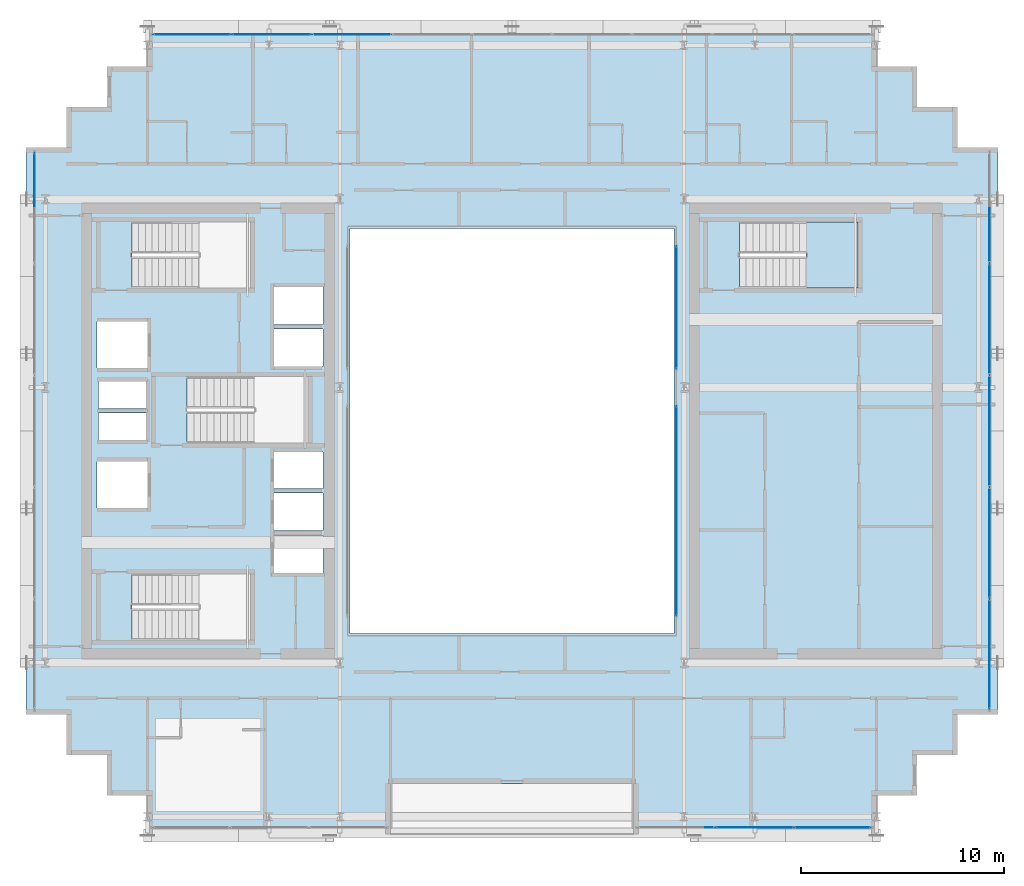
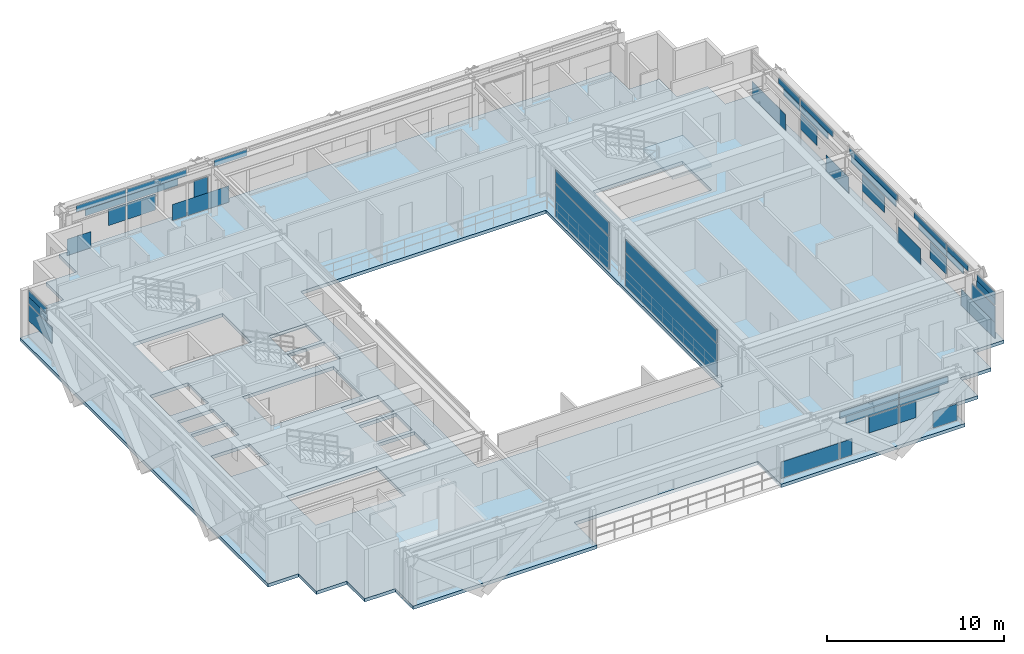
# One storey, part 25 of 37: 47 plates, 2 slabs, 7 elements without a shape of their own.
"""IFC4 building model written with IfcOpenShell, lengths in metres."""

from ifc_helpers import new_model, si_unit, direction, frame, origin, origin_2d, place, context, subcontext, project, spatial, polyline, rectangle, outline, extrude, source, transform, mapped, material, layer, layer_set, type_object, element, aggregate, save


model = new_model("IFC4")

# Units and contexts
model_context = context("Model", 3, precision=1e-05, world=origin(), true_north=direction((0.0, 1.0)))
body_context = subcontext(model_context, "Body", "Model", "MODEL_VIEW")
ifc_project = project(units=[si_unit("LENGTHUNIT", "METRE"), si_unit("AREAUNIT", "SQUARE_METRE"), si_unit("VOLUMEUNIT", "CUBIC_METRE"), si_unit("PLANEANGLEUNIT", "RADIAN"), si_unit("MASSUNIT", "GRAM", prefix="KILO")], contexts=[model_context])

# Site, building, storey
site_placement = place(None, origin())
site = spatial("IfcSite", under=ifc_project, at=site_placement, CompositionType="ELEMENT")
building_placement = place(site_placement, origin())
building = spatial("IfcBuilding", under=site, at=building_placement, Name="Ocotamira Hotel", CompositionType="ELEMENT")
storey_placement = place(building_placement, frame((0.0, 0.0, 192.0)))
storey = spatial("IfcBuildingStorey", under=building, at=storey_placement, Name="L48", CompositionType="ELEMENT", Elevation=192.0)

# Stair, slab
ifc_material_1 = material(Name="Concrete C40/50", Category="concrete")
stair_type = type_object("IfcStairType", Name="ST-CORE-1560", PredefinedType="HALF_TURN_STAIR", material=ifc_material_1)
stair_placement = place(storey_placement, origin())
stair = element("IfcStair", 1, at=stair_placement, inside=storey, type_object=stair_type, Name="L48 Exit Stair ST-4", PredefinedType="HALF_TURN_STAIR")
ifc_layer_1 = layer(ifc_material_1, 0.199951171875)
ifc_layer_set_1 = layer_set([ifc_layer_1], Name="Concrete C40/50")
slab_type_1 = type_object("IfcSlabType", Name="SLB-LAND-200", PredefinedType="LANDING", material=ifc_layer_set_1)
slab_1_placement = place(storey_placement, frame((0.0, 0.0, 1.60009765625)))
slab_1 = element("IfcSlab", 2, at=slab_1_placement, type_object=slab_type_1, Name="ST-4 landing 1", PredefinedType="LANDING", context=body_context, shape_type="SweptSolid", body=[
    extrude(outline(polyline([(46.530029296875, 33.050048828125), (49.090087890625, 33.050048828125), (49.090087890625, 36.330078125), (46.530029296875, 36.330078125), (46.530029296875, 33.050048828125)])), origin(), (0.0, 0.0, 1.0), 0.199951171875),
])
aggregate(stair, [slab_1])

# Slab
ifc_layer_2 = layer(ifc_material_1, 0.22998046875)
ifc_layer_set_2 = layer_set([ifc_layer_2], Name="Concrete C40/50")
slab_type_2 = type_object("IfcSlabType", Name="SLB-Z3-230", PredefinedType="FLOOR", material=ifc_layer_set_2)
slab_2_placement = place(storey_placement, frame((0.0, 0.0, -0.22998046875)))
element("IfcSlab", 3, at=slab_2_placement, inside=storey, type_object=slab_type_2, Name="L48 Structural Floor Slab", PredefinedType="FLOOR", context=body_context, shape_type="SweptSolid", body=[
    extrude(outline(polyline([(14.0, 6.0), (14.0, 8.0), (12.0, 8.0), (12.0, 10.0), (10.0, 10.0), (10.0, 12.0), (8.0, 12.0), (8.0, 40.0), (10.0, 40.0), (10.0, 42.0), (12.0, 42.0), (12.0, 44.0), (14.0, 44.0), (14.0, 46.0), (50.0, 46.0), (50.0, 44.0), (52.0, 44.0), (52.0, 42.0), (54.0, 42.0), (54.0, 40.0), (56.0, 40.0), (56.0, 12.0), (54.0, 12.0), (54.0, 10.0), (52.0, 10.0), (52.0, 8.0), (50.0, 8.0), (50.0, 6.0), (38.0, 6.0), (38.0, 8.60009765625), (26.0, 8.60009765625), (26.0, 6.0), (14.0, 6.0)]), holes=[polyline([(24.0, 16.0), (40.0, 16.0), (40.0, 36.0), (24.0, 36.0), (24.0, 16.0)]), polyline([(13.22998046875, 15.669921875), (19.090087890625, 15.669921875), (19.090087890625, 18.949951171875), (13.22998046875, 18.949951171875), (13.22998046875, 15.669921875)]), polyline([(13.22998046875, 33.050048828125), (19.090087890625, 33.050048828125), (19.090087890625, 36.330078125), (13.22998046875, 36.330078125), (13.22998046875, 33.050048828125)]), polyline([(15.9599609375, 25.39990234375), (21.919921875, 25.39990234375), (21.919921875, 28.679931640625), (15.9599609375, 28.679931640625), (15.9599609375, 25.39990234375)]), polyline([(43.22998046875, 33.050048828125), (49.090087890625, 33.050048828125), (49.090087890625, 36.330078125), (43.22998046875, 36.330078125), (43.22998046875, 33.050048828125)]), polyline([(20.25, 19.0), (22.659912109375, 19.0), (22.659912109375, 20.85009765625), (20.25, 20.85009765625), (20.25, 19.0)]), polyline([(20.25, 21.080078125), (22.659912109375, 21.080078125), (22.659912109375, 22.929931640625), (20.25, 22.929931640625), (20.25, 21.080078125)]), polyline([(20.25, 23.159912109375), (22.659912109375, 23.159912109375), (22.659912109375, 24.9599609375), (20.25, 24.9599609375), (20.25, 23.159912109375)]), polyline([(20.25, 29.179931640625), (22.659912109375, 29.179931640625), (22.659912109375, 31.030029296875), (20.25, 31.030029296875), (20.25, 29.179931640625)]), polyline([(20.25, 31.260009765625), (22.659912109375, 31.260009765625), (22.659912109375, 33.110107421875), (20.25, 33.110107421875), (20.25, 31.260009765625)]), polyline([(11.5, 22.199951171875), (14.0, 22.199951171875), (14.0, 24.5), (11.5, 24.5), (11.5, 22.199951171875)]), polyline([(11.5, 29.10009765625), (14.0, 29.10009765625), (14.0, 31.39990234375), (11.5, 31.39990234375), (11.5, 29.10009765625)]), polyline([(11.580078125, 25.550048828125), (13.919921875, 25.550048828125), (13.919921875, 26.89990234375), (11.580078125, 26.89990234375), (11.580078125, 25.550048828125)]), polyline([(11.580078125, 27.10009765625), (13.919921875, 27.10009765625), (13.919921875, 28.449951171875), (11.580078125, 28.449951171875), (11.580078125, 27.10009765625)])]), origin(), (0.0, 0.0, 1.0), 0.22998046875),
])

# Curtain wall, plate
ifc_material_2 = material(Name="Anodised pale-metal aluminium and solar glass", Category="aluminium")
ifc_layer_3 = layer(ifc_material_2, 0.199951171875)
ifc_layer_set_3 = layer_set([ifc_layer_3], Name="Anodised pale-metal aluminium and solar glass")
curtain_wall_type_1 = type_object("IfcCurtainWallType", Name="CW-SYS4-Z3", PredefinedType="NOTDEFINED", material=ifc_layer_set_3)
curtain_wall_1_placement = place(storey_placement, origin())
curtain_wall_1 = element("IfcCurtainWall", 4, at=curtain_wall_1_placement, inside=storey, type_object=curtain_wall_type_1, Name="L48 Curtain Wall CW-4 CW-L48-S2", PredefinedType="NOTDEFINED")
ifc_material_3 = material(Name="Double-silver low-E insulated solar glass", Category="glass")
ifc_layer_4 = layer(ifc_material_3, 0.031982421875)
ifc_layer_set_4 = layer_set([ifc_layer_4], Name="Double-silver low-E insulated solar glass")
plate_type = type_object("IfcPlateType", Name="CWP-VISION-32", PredefinedType="CURTAIN_PANEL", material=ifc_layer_set_4)
shared_shape_1 = source(origin(), body_context, "Body", "SweptSolid", [
    extrude(rectangle(XDim=1.5673828125, YDim=0.031982421875, at=origin_2d()), origin(), (0.0, 0.0, 1.0), 1.118896484375),
])
plate_1_placement = place(storey_placement, frame((48.936279296875, 6.419921875, 0.0751953125), z_axis=(0.0, 0.0, 1.0), x_axis=(1.0, 0.0, 0.0)))
plate_1 = element("IfcPlate", 5, at=plate_1_placement, type_object=plate_type, Name="CW-4 panel 3.1.2", PredefinedType="CURTAIN_PANEL", context=body_context, shape_type="MappedRepresentation", body=[
    mapped(shared_shape_1, transform((0.0, 0.0, 0.0), scale=1.0)),
])

# Curtain wall, plates
curtain_wall_2_placement = place(storey_placement, origin())
curtain_wall_2 = element("IfcCurtainWall", 6, at=curtain_wall_2_placement, inside=storey, type_object=curtain_wall_type_1, Name="L48 Curtain Wall CW-4 CW-L48-N", PredefinedType="NOTDEFINED")
plate_2_placement = place(storey_placement, frame((15.063720703125, 45.580078125, 0.0751953125), z_axis=(0.0, 0.0, 1.0), x_axis=(1.0, 0.0, 0.0)))
plate_2 = element("IfcPlate", 7, at=plate_2_placement, type_object=plate_type, Name="CW-4 panel 1.1.1", PredefinedType="CURTAIN_PANEL", context=body_context, shape_type="MappedRepresentation", body=[
    mapped(shared_shape_1, transform((0.0, 0.0, 0.0), scale=1.0)),
])
shared_shape_2 = source(origin(), body_context, "Body", "SweptSolid", [
    extrude(rectangle(XDim=3.233154296875, YDim=0.031982421875, at=origin_2d()), origin(), (0.0, 0.0, 1.0), 0.4326171875),
])
plate_3_placement = place(storey_placement, frame((16.4990234375, 45.580078125, 2.8623046875), z_axis=(0.0, 0.0, 1.0), x_axis=(1.0, 0.0, 0.0)))
plate_3 = element("IfcPlate", 8, at=plate_3_placement, type_object=plate_type, Name="CW-4 panel 1.2.1", PredefinedType="CURTAIN_PANEL", context=body_context, shape_type="MappedRepresentation", body=[
    mapped(shared_shape_2, transform((0.0, 0.0, 0.0), scale=1.0)),
])
shared_shape_3 = source(origin(), body_context, "Body", "SweptSolid", [
    extrude(rectangle(XDim=2.6396484375, YDim=0.031982421875, at=origin_2d()), origin(), (0.0, 0.0, 1.0), 0.443603515625),
])
plate_4_placement = place(storey_placement, frame((16.795654296875, 45.580078125, 2.3876953125), z_axis=(0.0, 0.0, 1.0), x_axis=(1.0, 0.0, 0.0)))
plate_4 = element("IfcPlate", 9, at=plate_4_placement, type_object=plate_type, Name="CW-4 panel 1.2.2", PredefinedType="CURTAIN_PANEL", context=body_context, shape_type="MappedRepresentation", body=[
    mapped(shared_shape_3, transform((0.0, 0.0, 0.0), scale=1.0)),
])
shared_shape_4 = source(origin(), body_context, "Body", "SweptSolid", [
    extrude(rectangle(XDim=0.918701171875, YDim=0.031982421875, at=origin_2d()), origin(), (0.0, 0.0, 1.0), 1.118896484375),
])
plate_5_placement = place(storey_placement, frame((21.61181640625, 45.580078125, 0.0751953125), z_axis=(0.0, 0.0, 1.0), x_axis=(1.0, 0.0, 0.0)))
plate_5 = element("IfcPlate", 10, at=plate_5_placement, type_object=plate_type, Name="CW-4 panel 2.1.2", PredefinedType="CURTAIN_PANEL", context=body_context, shape_type="MappedRepresentation", body=[
    mapped(shared_shape_4, transform((0.0, 0.0, 0.0), scale=1.0)),
])
shared_shape_5 = source(origin(), body_context, "Body", "SweptSolid", [
    extrude(rectangle(XDim=3.32861328125, YDim=0.031982421875, at=origin_2d()), origin(), (0.0, 0.0, 1.0), 0.474853515625),
])
plate_6_placement = place(storey_placement, frame((19.85986328125, 45.580078125, 2.3876953125), z_axis=(0.0, 0.0, 1.0), x_axis=(1.0, 0.0, 0.0)))
plate_6 = element("IfcPlate", 11, at=plate_6_placement, type_object=plate_type, Name="CW-4 panel 2.2.1", PredefinedType="CURTAIN_PANEL", context=body_context, shape_type="MappedRepresentation", body=[
    mapped(shared_shape_5, transform((0.0, 0.0, 0.0), scale=1.0)),
])
shared_shape_6 = source(origin(), body_context, "Body", "SweptSolid", [
    extrude(rectangle(XDim=3.87548828125, YDim=0.031982421875, at=origin_2d()), origin(), (0.0, 0.0, 1.0), 0.4326171875),
])
plate_7_placement = place(storey_placement, frame((20.13330078125, 45.580078125, 2.8623046875), z_axis=(0.0, 0.0, 1.0), x_axis=(1.0, 0.0, 0.0)))
plate_7 = element("IfcPlate", 12, at=plate_7_placement, type_object=plate_type, Name="CW-4 panel 2.2.2", PredefinedType="CURTAIN_PANEL", context=body_context, shape_type="MappedRepresentation", body=[
    mapped(shared_shape_6, transform((0.0, 0.0, 0.0), scale=1.0)),
])
shared_shape_7 = source(origin(), body_context, "Body", "SweptSolid", [
    extrude(rectangle(XDim=2.6962890625, YDim=0.031982421875, at=origin_2d()), origin(), (0.0, 0.0, 1.0), 1.118896484375),
])
plate_8_placement = place(storey_placement, frame((23.499267578125, 45.580078125, 0.0751953125), z_axis=(0.0, 0.0, 1.0), x_axis=(1.0, 0.0, 0.0)))
plate_8 = element("IfcPlate", 13, at=plate_8_placement, type_object=plate_type, Name="CW-4 panel 3.1.1", PredefinedType="CURTAIN_PANEL", context=body_context, shape_type="MappedRepresentation", body=[
    mapped(shared_shape_7, transform((0.0, 0.0, 0.0), scale=1.0)),
])
shared_shape_8 = source(origin(), body_context, "Body", "SweptSolid", [
    extrude(rectangle(XDim=2.144287109375, YDim=0.031982421875, at=origin_2d()), origin(), (0.0, 0.0, 1.0), 0.4326171875),
])
plate_9_placement = place(storey_placement, frame((24.95458984375, 45.580078125, 2.8623046875), z_axis=(0.0, 0.0, 1.0), x_axis=(1.0, 0.0, 0.0)))
plate_9 = element("IfcPlate", 14, at=plate_9_placement, type_object=plate_type, Name="CW-4 panel 3.2.1", PredefinedType="CURTAIN_PANEL", context=body_context, shape_type="MappedRepresentation", body=[
    mapped(shared_shape_8, transform((0.0, 0.0, 0.0), scale=1.0)),
])

curtain_wall_3_placement = place(storey_placement, origin())
curtain_wall_3 = element("IfcCurtainWall", 15, at=curtain_wall_3_placement, inside=storey, type_object=curtain_wall_type_1, Name="L48 Curtain Wall CW-4 CW-L48-E", PredefinedType="NOTDEFINED")
shared_shape_9 = source(origin(), body_context, "Body", "SweptSolid", [
    extrude(rectangle(XDim=3.802001953125, YDim=0.031982421875, at=origin_2d()), origin(), (0.0, 0.0, 1.0), 1.118896484375),
])
plate_10_placement = place(storey_placement, frame((55.580078125, 14.180908203125, 0.0751953125), z_axis=(0.0, 0.0, 1.0), x_axis=(0.0, 1.0, 0.0)))
plate_10 = element("IfcPlate", 16, at=plate_10_placement, type_object=plate_type, Name="CW-4 panel 1.1.1", PredefinedType="CURTAIN_PANEL", context=body_context, shape_type="MappedRepresentation", body=[
    mapped(shared_shape_9, transform((0.0, 0.0, 0.0), scale=1.0)),
])
plate_11_placement = place(storey_placement, frame((55.580078125, 37.819091796875, 0.0751953125), z_axis=(0.0, 0.0, 1.0), x_axis=(0.0, 1.0, 0.0)))
plate_11 = element("IfcPlate", 17, at=plate_11_placement, type_object=plate_type, Name="CW-4 panel 5.1.1", PredefinedType="CURTAIN_PANEL", context=body_context, shape_type="MappedRepresentation", body=[
    mapped(shared_shape_9, transform((0.0, 0.0, 0.0), scale=1.0)),
])

# Curtain wall, plate
curtain_wall_4_placement = place(storey_placement, origin())
curtain_wall_4 = element("IfcCurtainWall", 18, at=curtain_wall_4_placement, inside=storey, type_object=curtain_wall_type_1, Name="L48 Curtain Wall CW-4 CW-L48-W", PredefinedType="NOTDEFINED")
shared_shape_10 = source(origin(), body_context, "Body", "SweptSolid", [
    extrude(rectangle(XDim=2.048095703125, YDim=0.031982421875, at=origin_2d()), origin(), (0.0, 0.0, 1.0), 0.460693359375),
])
plate_12_placement = place(storey_placement, frame((8.419921875, 38.696044921875, 2.3876953125), z_axis=(0.0, 0.0, 1.0), x_axis=(0.0, 1.0, 0.0)))
plate_12 = element("IfcPlate", 19, at=plate_12_placement, type_object=plate_type, Name="CW-4 panel 5.2.3", PredefinedType="CURTAIN_PANEL", context=body_context, shape_type="MappedRepresentation", body=[
    mapped(shared_shape_10, transform((0.0, 0.0, 0.0), scale=1.0)),
])

# Plate
plate_13_placement = place(storey_placement, frame((55.580078125, 13.303955078125, 2.3876953125), z_axis=(0.0, 0.0, 1.0), x_axis=(0.0, 1.0, 0.0)))
plate_13 = element("IfcPlate", 20, at=plate_13_placement, type_object=plate_type, Name="CW-4 panel 1.2.1", PredefinedType="CURTAIN_PANEL", context=body_context, shape_type="MappedRepresentation", body=[
    mapped(shared_shape_10, transform((0.0, 0.0, 0.0), scale=1.0)),
])

shared_shape_11 = source(origin(), body_context, "Body", "SweptSolid", [
    extrude(rectangle(XDim=2.01171875, YDim=0.031982421875, at=origin_2d()), origin(), (0.0, 0.0, 1.0), 0.44677734375),
])
plate_14_placement = place(storey_placement, frame((8.419921875, 38.714111328125, 2.84814453125), z_axis=(0.0, 0.0, 1.0), x_axis=(0.0, 1.0, 0.0)))
plate_14 = element("IfcPlate", 21, at=plate_14_placement, type_object=plate_type, Name="CW-4 panel 5.2.4", PredefinedType="CURTAIN_PANEL", context=body_context, shape_type="MappedRepresentation", body=[
    mapped(shared_shape_11, transform((0.0, 0.0, 0.0), scale=1.0)),
])

plate_15_placement = place(storey_placement, frame((55.580078125, 13.285888671875, 2.84814453125), z_axis=(0.0, 0.0, 1.0), x_axis=(0.0, 1.0, 0.0)))
plate_15 = element("IfcPlate", 22, at=plate_15_placement, type_object=plate_type, Name="CW-4 panel 1.2.2", PredefinedType="CURTAIN_PANEL", context=body_context, shape_type="MappedRepresentation", body=[
    mapped(shared_shape_11, transform((0.0, 0.0, 0.0), scale=1.0)),
])

shared_shape_12 = source(origin(), body_context, "Body", "SweptSolid", [
    extrude(rectangle(XDim=2.3681640625, YDim=0.031982421875, at=origin_2d()), origin(), (0.0, 0.0, 1.0), 0.41259765625),
])
plate_16_placement = place(storey_placement, frame((55.580078125, 16.495849609375, 2.882568359375), z_axis=(0.0, 0.0, 1.0), x_axis=(0.0, 1.0, 0.0)))
plate_16 = element("IfcPlate", 23, at=plate_16_placement, type_object=plate_type, Name="CW-4 panel 1.2.3", PredefinedType="CURTAIN_PANEL", context=body_context, shape_type="MappedRepresentation", body=[
    mapped(shared_shape_12, transform((0.0, 0.0, 0.0), scale=1.0)),
])

plate_17_placement = place(storey_placement, frame((55.580078125, 35.504150390625, 2.882568359375), z_axis=(0.0, 0.0, 1.0), x_axis=(0.0, 1.0, 0.0)))
plate_17 = element("IfcPlate", 24, at=plate_17_placement, type_object=plate_type, Name="CW-4 panel 5.2.2", PredefinedType="CURTAIN_PANEL", context=body_context, shape_type="MappedRepresentation", body=[
    mapped(shared_shape_12, transform((0.0, 0.0, 0.0), scale=1.0)),
])

shared_shape_13 = source(origin(), body_context, "Body", "SweptSolid", [
    extrude(rectangle(XDim=1.84326171875, YDim=0.031982421875, at=origin_2d()), origin(), (0.0, 0.0, 1.0), 0.460693359375),
])
plate_18_placement = place(storey_placement, frame((55.580078125, 16.75830078125, 2.3876953125), z_axis=(0.0, 0.0, 1.0), x_axis=(0.0, 1.0, 0.0)))
plate_18 = element("IfcPlate", 25, at=plate_18_placement, type_object=plate_type, Name="CW-4 panel 1.2.4", PredefinedType="CURTAIN_PANEL", context=body_context, shape_type="MappedRepresentation", body=[
    mapped(shared_shape_13, transform((0.0, 0.0, 0.0), scale=1.0)),
])

plate_19_placement = place(storey_placement, frame((55.580078125, 35.24169921875, 2.3876953125), z_axis=(0.0, 0.0, 1.0), x_axis=(0.0, 1.0, 0.0)))
plate_19 = element("IfcPlate", 26, at=plate_19_placement, type_object=plate_type, Name="CW-4 panel 5.2.1", PredefinedType="CURTAIN_PANEL", context=body_context, shape_type="MappedRepresentation", body=[
    mapped(shared_shape_13, transform((0.0, 0.0, 0.0), scale=1.0)),
])

shared_shape_14 = source(origin(), body_context, "Body", "SweptSolid", [
    extrude(rectangle(XDim=2.548828125, YDim=0.031982421875, at=origin_2d()), origin(), (0.0, 0.0, 1.0), 1.118896484375),
])
plate_20_placement = place(storey_placement, frame((55.580078125, 21.925537109375, 0.0751953125), z_axis=(0.0, 0.0, 1.0), x_axis=(0.0, 1.0, 0.0)))
plate_20 = element("IfcPlate", 27, at=plate_20_placement, type_object=plate_type, Name="CW-4 panel 2.1.2", PredefinedType="CURTAIN_PANEL", context=body_context, shape_type="MappedRepresentation", body=[
    mapped(shared_shape_14, transform((0.0, 0.0, 0.0), scale=1.0)),
])

plate_21_placement = place(storey_placement, frame((55.580078125, 30.074462890625, 0.0751953125), z_axis=(0.0, 0.0, 1.0), x_axis=(0.0, 1.0, 0.0)))
plate_21 = element("IfcPlate", 28, at=plate_21_placement, type_object=plate_type, Name="CW-4 panel 4.1.1", PredefinedType="CURTAIN_PANEL", context=body_context, shape_type="MappedRepresentation", body=[
    mapped(shared_shape_14, transform((0.0, 0.0, 0.0), scale=1.0)),
])

shared_shape_15 = source(origin(), body_context, "Body", "SweptSolid", [
    extrude(rectangle(XDim=3.13671875, YDim=0.031982421875, at=origin_2d()), origin(), (0.0, 0.0, 1.0), 0.460693359375),
])
plate_22_placement = place(storey_placement, frame((55.580078125, 19.328369140625, 2.3876953125), z_axis=(0.0, 0.0, 1.0), x_axis=(0.0, 1.0, 0.0)))
plate_22 = element("IfcPlate", 29, at=plate_22_placement, type_object=plate_type, Name="CW-4 panel 2.2.1", PredefinedType="CURTAIN_PANEL", context=body_context, shape_type="MappedRepresentation", body=[
    mapped(shared_shape_15, transform((0.0, 0.0, 0.0), scale=1.0)),
])

plate_23_placement = place(storey_placement, frame((55.580078125, 32.671630859375, 2.3876953125), z_axis=(0.0, 0.0, 1.0), x_axis=(0.0, 1.0, 0.0)))
plate_23 = element("IfcPlate", 30, at=plate_23_placement, type_object=plate_type, Name="CW-4 panel 4.2.2", PredefinedType="CURTAIN_PANEL", context=body_context, shape_type="MappedRepresentation", body=[
    mapped(shared_shape_15, transform((0.0, 0.0, 0.0), scale=1.0)),
])

shared_shape_16 = source(origin(), body_context, "Body", "SweptSolid", [
    extrude(rectangle(XDim=3.66162109375, YDim=0.031982421875, at=origin_2d()), origin(), (0.0, 0.0, 1.0), 0.41259765625),
])
plate_24_placement = place(storey_placement, frame((55.580078125, 19.5908203125, 2.882568359375), z_axis=(0.0, 0.0, 1.0), x_axis=(0.0, 1.0, 0.0)))
plate_24 = element("IfcPlate", 31, at=plate_24_placement, type_object=plate_type, Name="CW-4 panel 2.2.2", PredefinedType="CURTAIN_PANEL", context=body_context, shape_type="MappedRepresentation", body=[
    mapped(shared_shape_16, transform((0.0, 0.0, 0.0), scale=1.0)),
])

plate_25_placement = place(storey_placement, frame((55.580078125, 32.4091796875, 2.882568359375), z_axis=(0.0, 0.0, 1.0), x_axis=(0.0, 1.0, 0.0)))
plate_25 = element("IfcPlate", 32, at=plate_25_placement, type_object=plate_type, Name="CW-4 panel 4.2.1", PredefinedType="CURTAIN_PANEL", context=body_context, shape_type="MappedRepresentation", body=[
    mapped(shared_shape_16, transform((0.0, 0.0, 0.0), scale=1.0)),
])

shared_shape_17 = source(origin(), body_context, "Body", "SweptSolid", [
    extrude(rectangle(XDim=5.43994140625, YDim=0.031982421875, at=origin_2d()), origin(), (0.0, 0.0, 1.0), 0.41259765625),
])
plate_26_placement = place(storey_placement, frame((55.580078125, 26.0, 2.882568359375), z_axis=(0.0, 0.0, 1.0), x_axis=(0.0, 1.0, 0.0)))
plate_26 = element("IfcPlate", 33, at=plate_26_placement, type_object=plate_type, Name="CW-4 panel 3.2.1", PredefinedType="CURTAIN_PANEL", context=body_context, shape_type="MappedRepresentation", body=[
    mapped(shared_shape_17, transform((0.0, 0.0, 0.0), scale=1.0)),
])

shared_shape_18 = source(origin(), body_context, "Body", "SweptSolid", [
    extrude(rectangle(XDim=5.06005859375, YDim=0.031982421875, at=origin_2d()), origin(), (0.0, 0.0, 1.0), 0.4951171875),
])
plate_27_placement = place(storey_placement, frame((55.580078125, 26.0, 2.387451171875), z_axis=(0.0, 0.0, 1.0), x_axis=(0.0, 1.0, 0.0)))
plate_27 = element("IfcPlate", 34, at=plate_27_placement, type_object=plate_type, Name="CW-4 panel 3.2.2", PredefinedType="CURTAIN_PANEL", context=body_context, shape_type="MappedRepresentation", body=[
    mapped(shared_shape_18, transform((0.0, 0.0, 0.0), scale=1.0)),
])

shared_shape_19 = source(origin(), body_context, "Body", "SweptSolid", [
    extrude(rectangle(XDim=3.76318359375, YDim=0.031982421875, at=origin_2d()), origin(), (0.0, 0.0, 1.0), 1.118896484375),
])
plate_28_placement = place(storey_placement, frame((40.11181640625, 6.419921875, 0.0751953125), z_axis=(0.0, 0.0, 1.0), x_axis=(1.0, 0.0, 0.0)))
plate_28 = element("IfcPlate", 35, at=plate_28_placement, type_object=plate_type, Name="CW-4 panel 1.1.1", PredefinedType="CURTAIN_PANEL", context=body_context, shape_type="MappedRepresentation", body=[
    mapped(shared_shape_19, transform((0.0, 0.0, 0.0), scale=1.0)),
])

shared_shape_20 = source(origin(), body_context, "Body", "SweptSolid", [
    extrude(rectangle(XDim=0.898193359375, YDim=0.031982421875, at=origin_2d()), origin(), (0.0, 0.0, 1.0), 1.118896484375),
])
plate_29_placement = place(storey_placement, frame((23.0, 45.580078125, 1.19384765625), z_axis=(0.0, 0.0, 1.0), x_axis=(1.0, 0.0, 0.0)))
plate_29 = element("IfcPlate", 36, at=plate_29_placement, type_object=plate_type, Name="CW-4 panel 3.1.2", PredefinedType="CURTAIN_PANEL", context=body_context, shape_type="MappedRepresentation", body=[
    mapped(shared_shape_20, transform((0.0, 0.0, 0.0), scale=1.0)),
])

shared_shape_21 = source(origin(), body_context, "Body", "SweptSolid", [
    extrude(rectangle(XDim=1.0751953125, YDim=0.031982421875, at=origin_2d()), origin(), (0.0, 0.0, 1.0), 1.118896484375),
])
plate_30_placement = place(storey_placement, frame((46.494384765625, 6.419921875, 1.19384765625), z_axis=(0.0, 0.0, 1.0), x_axis=(1.0, 0.0, 0.0)))
plate_30 = element("IfcPlate", 37, at=plate_30_placement, type_object=plate_type, Name="CW-4 panel 3.1.1", PredefinedType="CURTAIN_PANEL", context=body_context, shape_type="MappedRepresentation", body=[
    mapped(shared_shape_21, transform((0.0, 0.0, 0.0), scale=1.0)),
])

shared_shape_22 = source(origin(), body_context, "Body", "SweptSolid", [
    extrude(rectangle(XDim=3.160888671875, YDim=0.031982421875, at=origin_2d()), origin(), (0.0, 0.0, 1.0), 0.4326171875),
])
plate_31_placement = place(storey_placement, frame((47.537109375, 6.419921875, 2.8623046875), z_axis=(0.0, 0.0, 1.0), x_axis=(1.0, 0.0, 0.0)))
plate_31 = element("IfcPlate", 38, at=plate_31_placement, type_object=plate_type, Name="CW-4 panel 3.2.2", PredefinedType="CURTAIN_PANEL", context=body_context, shape_type="MappedRepresentation", body=[
    mapped(shared_shape_22, transform((0.0, 0.0, 0.0), scale=1.0)),
])

shared_shape_23 = source(origin(), body_context, "Body", "SweptSolid", [
    extrude(rectangle(XDim=2.5673828125, YDim=0.031982421875, at=origin_2d()), origin(), (0.0, 0.0, 1.0), 0.443603515625),
])
plate_32_placement = place(storey_placement, frame((47.240478515625, 6.419921875, 2.3876953125), z_axis=(0.0, 0.0, 1.0), x_axis=(1.0, 0.0, 0.0)))
plate_32 = element("IfcPlate", 39, at=plate_32_placement, type_object=plate_type, Name="CW-4 panel 3.2.1", PredefinedType="CURTAIN_PANEL", context=body_context, shape_type="MappedRepresentation", body=[
    mapped(shared_shape_23, transform((0.0, 0.0, 0.0), scale=1.0)),
])

shared_shape_24 = source(origin(), body_context, "Body", "SweptSolid", [
    extrude(rectangle(XDim=1.90869140625, YDim=0.031982421875, at=origin_2d()), origin(), (0.0, 0.0, 1.0), 1.118896484375),
])
plate_33_placement = place(storey_placement, frame((44.92236328125, 6.419921875, 1.19384765625), z_axis=(0.0, 0.0, 1.0), x_axis=(1.0, 0.0, 0.0)))
plate_33 = element("IfcPlate", 40, at=plate_33_placement, type_object=plate_type, Name="CW-4 panel 2.1.2", PredefinedType="CURTAIN_PANEL", context=body_context, shape_type="MappedRepresentation", body=[
    mapped(shared_shape_24, transform((0.0, 0.0, 0.0), scale=1.0)),
])

shared_shape_25 = source(origin(), body_context, "Body", "SweptSolid", [
    extrude(rectangle(XDim=0.774169921875, YDim=0.031982421875, at=origin_2d()), origin(), (0.0, 0.0, 1.0), 1.118896484375),
])
plate_34_placement = place(storey_placement, frame((42.46044921875, 6.419921875, 0.0751953125), z_axis=(0.0, 0.0, 1.0), x_axis=(1.0, 0.0, 0.0)))
plate_34 = element("IfcPlate", 41, at=plate_34_placement, type_object=plate_type, Name="CW-4 panel 2.1.1", PredefinedType="CURTAIN_PANEL", context=body_context, shape_type="MappedRepresentation", body=[
    mapped(shared_shape_25, transform((0.0, 0.0, 0.0), scale=1.0)),
])

shared_shape_26 = source(origin(), body_context, "Body", "SweptSolid", [
    extrude(rectangle(XDim=3.40087890625, YDim=0.031982421875, at=origin_2d()), origin(), (0.0, 0.0, 1.0), 0.474853515625),
])
plate_35_placement = place(storey_placement, frame((44.17626953125, 6.419921875, 2.3876953125), z_axis=(0.0, 0.0, 1.0), x_axis=(1.0, 0.0, 0.0)))
plate_35 = element("IfcPlate", 42, at=plate_35_placement, type_object=plate_type, Name="CW-4 panel 2.2.2", PredefinedType="CURTAIN_PANEL", context=body_context, shape_type="MappedRepresentation", body=[
    mapped(shared_shape_26, transform((0.0, 0.0, 0.0), scale=1.0)),
])

shared_shape_27 = source(origin(), body_context, "Body", "SweptSolid", [
    extrude(rectangle(XDim=3.80322265625, YDim=0.031982421875, at=origin_2d()), origin(), (0.0, 0.0, 1.0), 0.4326171875),
])
plate_36_placement = place(storey_placement, frame((43.97509765625, 6.419921875, 2.8623046875), z_axis=(0.0, 0.0, 1.0), x_axis=(1.0, 0.0, 0.0)))
plate_36 = element("IfcPlate", 43, at=plate_36_placement, type_object=plate_type, Name="CW-4 panel 2.2.1", PredefinedType="CURTAIN_PANEL", context=body_context, shape_type="MappedRepresentation", body=[
    mapped(shared_shape_27, transform((0.0, 0.0, 0.0), scale=1.0)),
])

aggregate(curtain_wall_1, [plate_28, plate_34, plate_33, plate_36, plate_35, plate_30, plate_1, plate_32, plate_31])

shared_shape_28 = source(origin(), body_context, "Body", "SweptSolid", [
    extrude(rectangle(XDim=1.1474609375, YDim=0.031982421875, at=origin_2d()), origin(), (0.0, 0.0, 1.0), 1.118896484375),
])
plate_37_placement = place(storey_placement, frame((17.541748046875, 45.580078125, 1.19384765625), z_axis=(0.0, 0.0, 1.0), x_axis=(1.0, 0.0, 0.0)))
plate_37 = element("IfcPlate", 44, at=plate_37_placement, type_object=plate_type, Name="CW-4 panel 1.1.2", PredefinedType="CURTAIN_PANEL", context=body_context, shape_type="MappedRepresentation", body=[
    mapped(shared_shape_28, transform((0.0, 0.0, 0.0), scale=1.0)),
])

shared_shape_29 = source(origin(), body_context, "Body", "SweptSolid", [
    extrude(rectangle(XDim=1.83642578125, YDim=0.031982421875, at=origin_2d()), origin(), (0.0, 0.0, 1.0), 1.118896484375),
])
plate_38_placement = place(storey_placement, frame((19.11376953125, 45.580078125, 1.19384765625), z_axis=(0.0, 0.0, 1.0), x_axis=(1.0, 0.0, 0.0)))
plate_38 = element("IfcPlate", 45, at=plate_38_placement, type_object=plate_type, Name="CW-4 panel 2.1.1", PredefinedType="CURTAIN_PANEL", context=body_context, shape_type="MappedRepresentation", body=[
    mapped(shared_shape_29, transform((0.0, 0.0, 0.0), scale=1.0)),
])

aggregate(curtain_wall_2, [plate_2, plate_37, plate_3, plate_4, plate_38, plate_5, plate_6, plate_7, plate_8, plate_29, plate_9])

shared_shape_30 = source(origin(), body_context, "Body", "SweptSolid", [
    extrude(rectangle(XDim=2.615966796875, YDim=0.031982421875, at=origin_2d()), origin(), (0.0, 0.0, 1.0), 1.118896484375),
])
plate_39_placement = place(storey_placement, frame((8.419921875, 38.412109375, 1.19384765625), z_axis=(0.0, 0.0, 1.0), x_axis=(0.0, 1.0, 0.0)))
plate_39 = element("IfcPlate", 46, at=plate_39_placement, type_object=plate_type, Name="CW-4 panel 5.1.2", PredefinedType="CURTAIN_PANEL", context=body_context, shape_type="MappedRepresentation", body=[
    mapped(shared_shape_30, transform((0.0, 0.0, 0.0), scale=1.0)),
])

aggregate(curtain_wall_4, [plate_39, plate_12, plate_14])

plate_40_placement = place(storey_placement, frame((55.580078125, 13.587890625, 1.19384765625), z_axis=(0.0, 0.0, 1.0), x_axis=(0.0, 1.0, 0.0)))
plate_40 = element("IfcPlate", 47, at=plate_40_placement, type_object=plate_type, Name="CW-4 panel 1.1.2", PredefinedType="CURTAIN_PANEL", context=body_context, shape_type="MappedRepresentation", body=[
    mapped(shared_shape_30, transform((0.0, 0.0, 0.0), scale=1.0)),
])

shared_shape_31 = source(origin(), body_context, "Body", "SweptSolid", [
    extrude(rectangle(XDim=1.87109375, YDim=0.031982421875, at=origin_2d()), origin(), (0.0, 0.0, 1.0), 1.118896484375),
])
plate_41_placement = place(storey_placement, frame((55.580078125, 18.695556640625, 1.19384765625), z_axis=(0.0, 0.0, 1.0), x_axis=(0.0, 1.0, 0.0)))
plate_41 = element("IfcPlate", 48, at=plate_41_placement, type_object=plate_type, Name="CW-4 panel 2.1.1", PredefinedType="CURTAIN_PANEL", context=body_context, shape_type="MappedRepresentation", body=[
    mapped(shared_shape_31, transform((0.0, 0.0, 0.0), scale=1.0)),
])

plate_42_placement = place(storey_placement, frame((55.580078125, 33.304443359375, 1.19384765625), z_axis=(0.0, 0.0, 1.0), x_axis=(0.0, 1.0, 0.0)))
plate_42 = element("IfcPlate", 49, at=plate_42_placement, type_object=plate_type, Name="CW-4 panel 4.1.2", PredefinedType="CURTAIN_PANEL", context=body_context, shape_type="MappedRepresentation", body=[
    mapped(shared_shape_31, transform((0.0, 0.0, 0.0), scale=1.0)),
])

shared_shape_32 = source(origin(), body_context, "Body", "SweptSolid", [
    extrude(rectangle(XDim=2.52880859375, YDim=0.031982421875, at=origin_2d()), origin(), (0.0, 0.0, 1.0), 1.118896484375),
])
plate_43_placement = place(storey_placement, frame((55.580078125, 26.0, 1.19384765625), z_axis=(0.0, 0.0, 1.0), x_axis=(0.0, 1.0, 0.0)))
plate_43 = element("IfcPlate", 50, at=plate_43_placement, type_object=plate_type, Name="CW-4 panel 3.1.1", PredefinedType="CURTAIN_PANEL", context=body_context, shape_type="MappedRepresentation", body=[
    mapped(shared_shape_32, transform((0.0, 0.0, 0.0), scale=1.0)),
])

aggregate(curtain_wall_3, [plate_10, plate_40, plate_13, plate_15, plate_16, plate_18, plate_41, plate_20, plate_22, plate_24, plate_43, plate_26, plate_27, plate_21, plate_42, plate_25, plate_23, plate_11, plate_19, plate_17])

# Curtain wall, plates
ifc_layer_5 = layer(ifc_material_2, 0.159912109375)
ifc_layer_set_5 = layer_set([ifc_layer_5], Name="Anodised pale-metal aluminium and solar glass")
curtain_wall_type_2 = type_object("IfcCurtainWallType", Name="CW-SYS6-ATR", PredefinedType="NOTDEFINED", material=ifc_layer_set_5)
curtain_wall_5_placement = place(storey_placement, origin())
curtain_wall_5 = element("IfcCurtainWall", 51, at=curtain_wall_5_placement, inside=storey, type_object=curtain_wall_type_2, Name="L48 Curtain Wall CW-6 CW-L48-ATRE1", PredefinedType="NOTDEFINED")
shared_shape_33 = source(origin(), body_context, "Body", "SweptSolid", [
    extrude(rectangle(XDim=10.340087890625, YDim=0.031982421875, at=origin_2d()), origin(), (0.0, 0.0, 1.0), 2.237548828125),
])
plate_44_placement = place(storey_placement, frame((40.1201171875, 22.050048828125, 0.0751953125), z_axis=(0.0, 0.0, 1.0), x_axis=(0.0, 1.0, 0.0)))
plate_44 = element("IfcPlate", 52, at=plate_44_placement, type_object=plate_type, Name="CW-6 panel 1.1", PredefinedType="CURTAIN_PANEL", context=body_context, shape_type="MappedRepresentation", body=[
    mapped(shared_shape_33, transform((0.0, 0.0, 0.0), scale=1.0)),
])
shared_shape_34 = source(origin(), body_context, "Body", "SweptSolid", [
    extrude(rectangle(XDim=10.340087890625, YDim=0.031982421875, at=origin_2d()), origin(), (0.0, 0.0, 1.0), 0.907470703125),
])
plate_45_placement = place(storey_placement, frame((40.1201171875, 22.050048828125, 2.3876953125), z_axis=(0.0, 0.0, 1.0), x_axis=(0.0, 1.0, 0.0)))
plate_45 = element("IfcPlate", 53, at=plate_45_placement, type_object=plate_type, Name="CW-6 panel 1.2", PredefinedType="CURTAIN_PANEL", context=body_context, shape_type="MappedRepresentation", body=[
    mapped(shared_shape_34, transform((0.0, 0.0, 0.0), scale=1.0)),
])
aggregate(curtain_wall_5, [plate_44, plate_45])

curtain_wall_6_placement = place(storey_placement, origin())
curtain_wall_6 = element("IfcCurtainWall", 54, at=curtain_wall_6_placement, inside=storey, type_object=curtain_wall_type_2, Name="L48 Curtain Wall CW-6 CW-L48-ATRE2", PredefinedType="NOTDEFINED")
shared_shape_35 = source(origin(), body_context, "Body", "SweptSolid", [
    extrude(rectangle(XDim=6.0400390625, YDim=0.031982421875, at=origin_2d()), origin(), (0.0, 0.0, 1.0), 2.237548828125),
])
plate_46_placement = place(storey_placement, frame((40.1201171875, 32.10009765625, 0.0751953125), z_axis=(0.0, 0.0, 1.0), x_axis=(0.0, 1.0, 0.0)))
plate_46 = element("IfcPlate", 55, at=plate_46_placement, type_object=plate_type, Name="CW-6 panel 1.1", PredefinedType="CURTAIN_PANEL", context=body_context, shape_type="MappedRepresentation", body=[
    mapped(shared_shape_35, transform((0.0, 0.0, 0.0), scale=1.0)),
])
shared_shape_36 = source(origin(), body_context, "Body", "SweptSolid", [
    extrude(rectangle(XDim=6.0400390625, YDim=0.031982421875, at=origin_2d()), origin(), (0.0, 0.0, 1.0), 0.907470703125),
])
plate_47_placement = place(storey_placement, frame((40.1201171875, 32.10009765625, 2.3876953125), z_axis=(0.0, 0.0, 1.0), x_axis=(0.0, 1.0, 0.0)))
plate_47 = element("IfcPlate", 56, at=plate_47_placement, type_object=plate_type, Name="CW-6 panel 1.2", PredefinedType="CURTAIN_PANEL", context=body_context, shape_type="MappedRepresentation", body=[
    mapped(shared_shape_36, transform((0.0, 0.0, 0.0), scale=1.0)),
])
aggregate(curtain_wall_6, [plate_46, plate_47])

save(model, "model.ifc")
